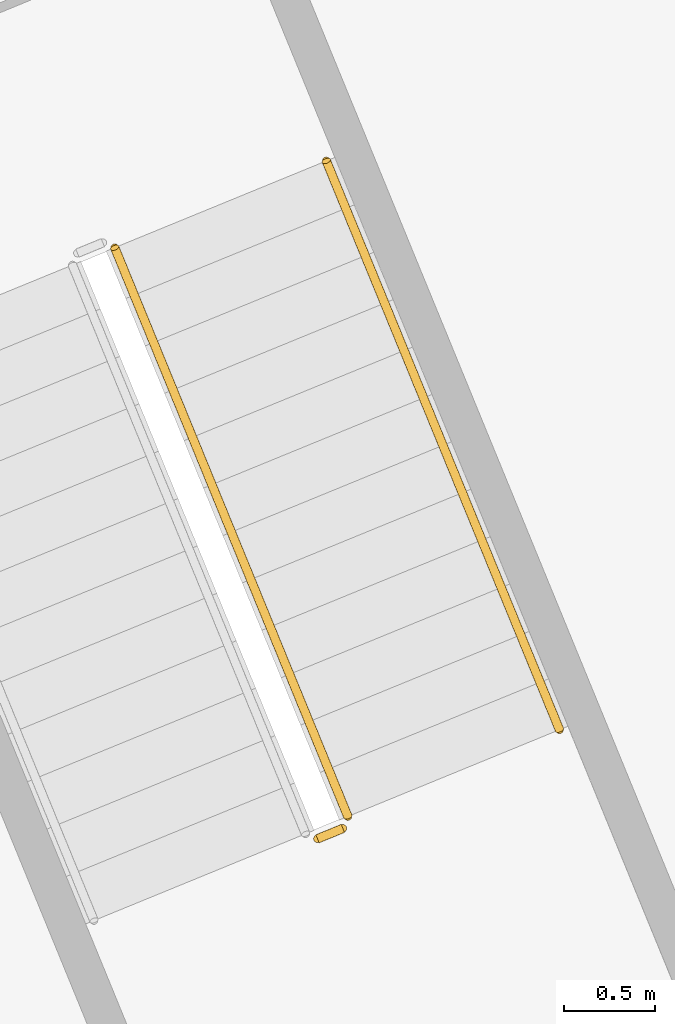
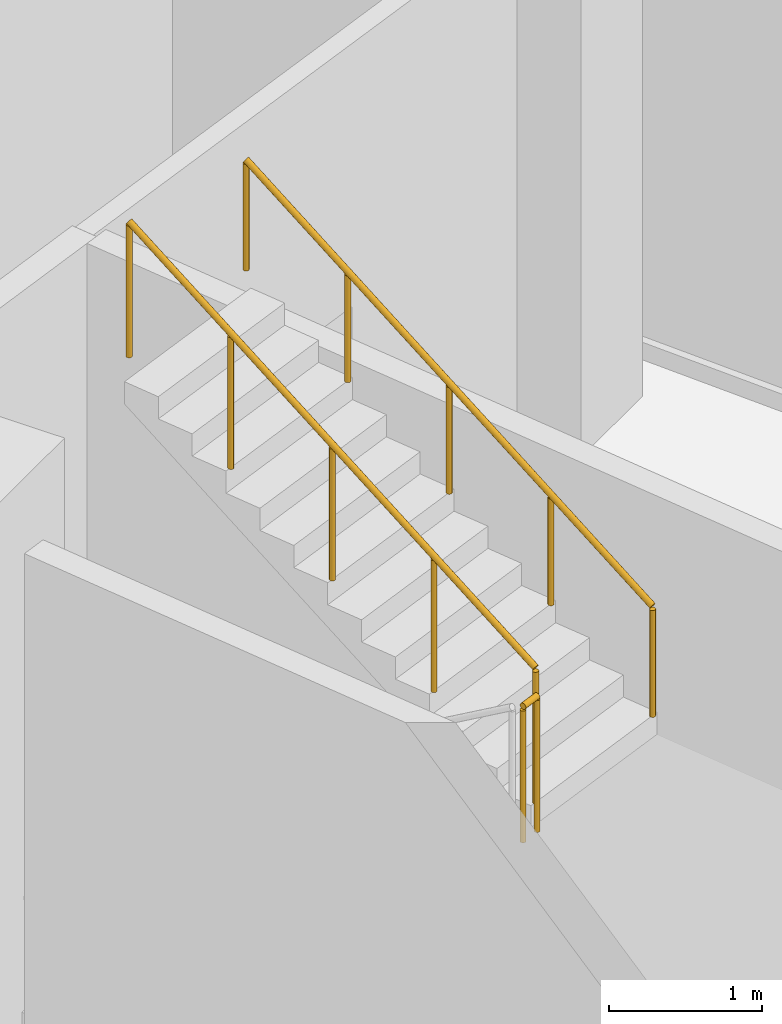
# One storey, part 40 of 40: 3 railings.
"""IFC4 building model written with IfcOpenShell, lengths in metres."""

from ifc_helpers import new_model, si_unit, direction, frame, origin, origin_2d, place, context, subcontext, project, spatial, circle, extrude, material, type_object, element, save


model = new_model("IFC4")

# Units and contexts
model_context = context("Model", 3, precision=1e-05, world=origin(), true_north=direction((0.0, 1.0)))
body_context = subcontext(model_context, "Body", "Model", "MODEL_VIEW")
ifc_project = project(units=[si_unit("LENGTHUNIT", "METRE"), si_unit("AREAUNIT", "SQUARE_METRE"), si_unit("VOLUMEUNIT", "CUBIC_METRE"), si_unit("PLANEANGLEUNIT", "RADIAN"), si_unit("MASSUNIT", "GRAM", prefix="KILO")], contexts=[model_context])

# Site, building, storey
site_placement = place(None, origin())
site = spatial("IfcSite", under=ifc_project, at=site_placement, CompositionType="ELEMENT")
building_placement = place(site_placement, origin())
building = spatial("IfcBuilding", under=site, at=building_placement, Name="Stone Belt Terrace Tower", CompositionType="ELEMENT")
storey_placement = place(building_placement, frame((0.0, 0.0, 11.60009765625)))
storey = spatial("IfcBuildingStorey", under=building, at=storey_placement, Name="L02", CompositionType="ELEMENT", Elevation=11.60009765625)

# Railings
ifc_material_1 = material(Name="Steel balustrade", Category="steel")
railing_type_1 = type_object("IfcRailingType", Name="Podium stair guard", PredefinedType="GUARDRAIL", material=ifc_material_1)
railing_1_placement = place(storey_placement, frame((59.5439453125, 29.873291015625, 2.2998046875)))
element("IfcRailing", 1, at=railing_1_placement, inside=storey, type_object=railing_type_1, Name="L02 PS4 stair guard 2", PredefinedType="GUARDRAIL", context=body_context, shape_type="SweptSolid", body=[
    extrude(circle(Radius=0.02392578125, at=origin_2d()), frame((0.0, 0.0, 1.076171875), z_axis=(0.925183283695, 0.379520607572, 0.0), x_axis=(-0.379520607572, 0.925183283695, 0.0)), (0.0, 0.0, 1.0), 0.14990234375),
    extrude(circle(Radius=0.02099609375, at=origin_2d()), origin(), (0.0, 0.0, 1.0), 1.052001953125),
    extrude(circle(Radius=0.02099609375, at=origin_2d()), frame((0.138671875, 0.056884765625, 0.0)), (0.0, 0.0, 1.0), 1.052001953125),
])
railing_2_placement = place(storey_placement, frame((59.7099609375, 29.995361328125, 2.476806640625)))
element("IfcRailing", 2, at=railing_2_placement, inside=storey, type_object=railing_type_1, Name="L02 PS4 stair guard 3", PredefinedType="GUARDRAIL", context=body_context, shape_type="SweptSolid", body=[
    extrude(circle(Radius=0.02392578125, at=origin_2d()), frame((0.0, 0.0, 1.076171875), z_axis=(-0.320592677529, 0.782224019096, 0.53417779724), x_axis=(-0.925301376681, -0.379232596584, 0.0)), (0.0, 0.0, 1.0), 3.974365234375),
    extrude(circle(Radius=0.02099609375, at=origin_2d()), origin(), (0.0, 0.0, 1.0), 1.052001953125),
    extrude(circle(Radius=0.02099609375, at=origin_2d()), frame((-0.318603515625, 0.77734375, 0.53076171875)), (0.0, 0.0, 1.0), 1.052001953125),
    extrude(circle(Radius=0.02099609375, at=origin_2d()), frame((-0.63720703125, 1.554443359375, 1.0615234375)), (0.0, 0.0, 1.0), 1.052001953125),
    extrude(circle(Radius=0.02099609375, at=origin_2d()), frame((-0.95556640625, 2.33154296875, 1.59228515625)), (0.0, 0.0, 1.0), 1.052001953125),
    extrude(circle(Radius=0.02099609375, at=origin_2d()), frame((-1.274169921875, 3.10888671875, 2.123046875)), (0.0, 0.0, 1.0), 1.052001953125),
])
ifc_material_2 = material(Name="Stainless steel handrail", Category="steel")
railing_type_2 = type_object("IfcRailingType", Name="Podium stair handrail", PredefinedType="HANDRAIL", material=ifc_material_2)
railing_3_placement = place(storey_placement, frame((60.86669921875, 30.469482421875, 2.476806640625)))
element("IfcRailing", 3, at=railing_3_placement, inside=storey, type_object=railing_type_2, Name="L02 PS4 stair handrail 2", PredefinedType="HANDRAIL", context=body_context, shape_type="SweptSolid", body=[
    extrude(circle(Radius=0.02392578125, at=origin_2d()), frame((0.0, 0.0, 0.8759765625), z_axis=(-0.320647790343, 0.782208613453, 0.534167276785), x_axis=(-0.925275877227, -0.379294807533, 0.0)), (0.0, 0.0, 1.0), 3.974609375),
    extrude(circle(Radius=0.02099609375, at=origin_2d()), origin(), (0.0, 0.0, 1.0), 0.851806640625),
    extrude(circle(Radius=0.02099609375, at=origin_2d()), frame((-0.318603515625, 0.77734375, 0.53076171875)), (0.0, 0.0, 1.0), 0.851806640625),
    extrude(circle(Radius=0.02099609375, at=origin_2d()), frame((-0.63720703125, 1.554443359375, 1.0615234375)), (0.0, 0.0, 1.0), 0.851806640625),
    extrude(circle(Radius=0.02099609375, at=origin_2d()), frame((-0.955810546875, 2.33154296875, 1.59228515625)), (0.0, 0.0, 1.0), 0.851806640625),
    extrude(circle(Radius=0.02099609375, at=origin_2d()), frame((-1.2744140625, 3.10888671875, 2.123046875)), (0.0, 0.0, 1.0), 0.851806640625),
])

save(model, "model.ifc")
